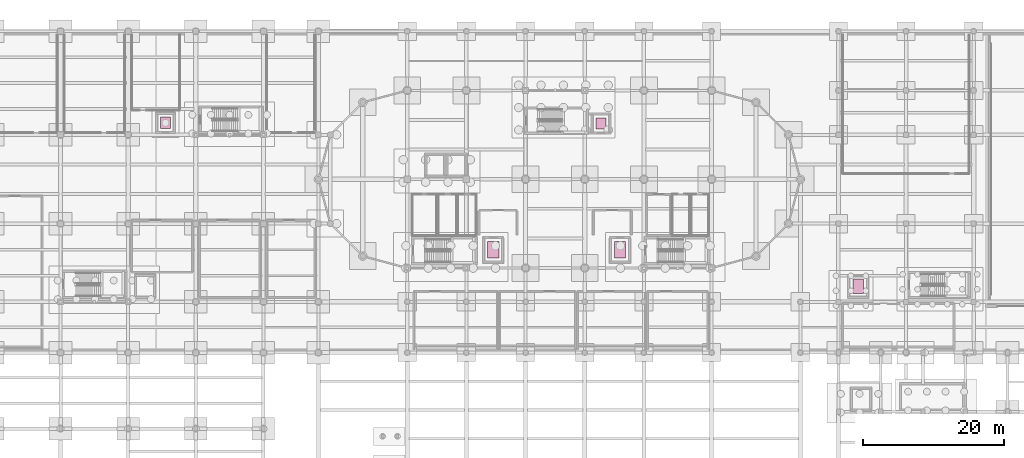
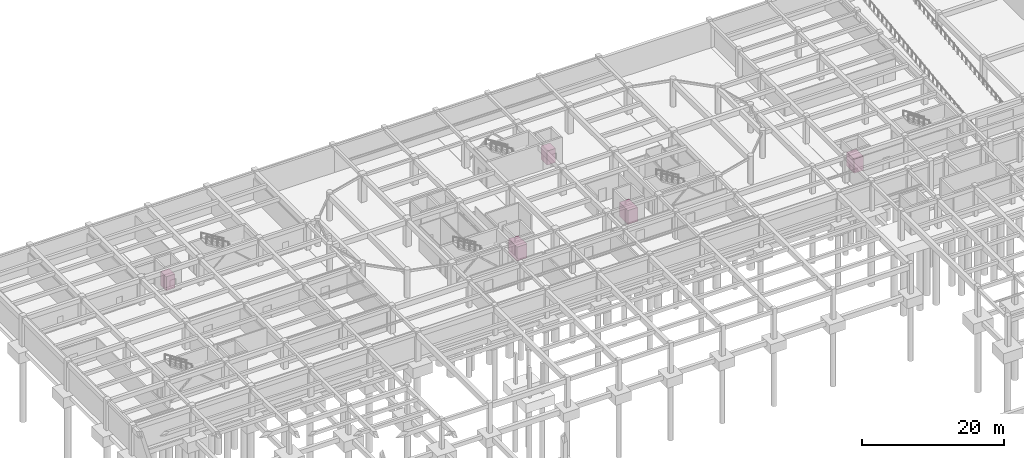
# One storey, part 37 of 37: 5 transport elements.
"""IFC4 building model written with IfcOpenShell, lengths in metres."""

from ifc_helpers import new_model, si_unit, direction, frame, origin, origin_2d, place, context, subcontext, project, spatial, rectangle, extrude, material, type_object, element, save


model = new_model("IFC4")

# Units and contexts
model_context = context("Model", 3, precision=1e-05, world=origin(), true_north=direction((0.0, 1.0)))
body_context = subcontext(model_context, "Body", "Model", "MODEL_VIEW")
ifc_project = project(units=[si_unit("LENGTHUNIT", "METRE"), si_unit("AREAUNIT", "SQUARE_METRE"), si_unit("VOLUMEUNIT", "CUBIC_METRE"), si_unit("PLANEANGLEUNIT", "RADIAN"), si_unit("MASSUNIT", "GRAM", prefix="KILO")], contexts=[model_context])

# Site, building, storey
site_placement = place(None, origin())
site = spatial("IfcSite", under=ifc_project, at=site_placement, CompositionType="ELEMENT")
building_placement = place(site_placement, origin())
building = spatial("IfcBuilding", under=site, at=building_placement, Name="Tarnavel Promenade Courthouse", CompositionType="ELEMENT")
storey_placement = place(building_placement, frame((0.0, 0.0, -4.800048828125)))
storey = spatial("IfcBuildingStorey", under=building, at=storey_placement, Name="B01", CompositionType="ELEMENT", Elevation=-4.800048828125)

# Transport elements
ifc_material = material(Name="Brushed Stainless Steel and Bronze Lift Car Assembly", Category="steel")
transport_element_type_1 = type_object("IfcTransportElementType", Name="Electric Traction Lift 1.40x1.60m 1150kg", PredefinedType="ELEVATOR", material=ifc_material)
for number, where, z_axis, x_axis, name in (
    (1, (86.300048828125, 99.699951171875, 0.0), (0.0, 0.0, 1.0), (1.0, 0.0, 0.0), "Restricted Judicial Lift 1"),
    (2, (24.5, 99.800048828125, 0.0), (0.0, 0.0, 1.0), (1.0, 0.0, 0.0), "Restricted Judicial Lift 2"),
):
    element("IfcTransportElement", number, at=place(storey_placement, frame(where, z_axis=z_axis, x_axis=x_axis)), inside=storey, type_object=transport_element_type_1, Name=name, PredefinedType="ELEVATOR", context=body_context, shape_type="SweptSolid", body=[
        extrude(rectangle(XDim=1.39990234375, YDim=1.60009765625, at=origin_2d()), origin(), (0.0, 0.0, 1.0), 2.39990234375),
    ])
transport_element_type_2 = type_object("IfcTransportElementType", Name="Electric Traction Lift 1.50x2.10m 1350kg", PredefinedType="ELEVATOR", material=ifc_material)
transport_element_placement = place(storey_placement, frame((122.800048828125, 76.60009765625, 0.0), z_axis=(0.0, 0.0, 1.0), x_axis=(1.0, 0.0, 0.0)))
element("IfcTransportElement", 3, at=transport_element_placement, inside=storey, type_object=transport_element_type_2, Name="Secure Custody Detainee Transfer Lift", PredefinedType="ELEVATOR", context=body_context, shape_type="SweptSolid", body=[
    extrude(rectangle(XDim=1.5, YDim=2.10009765625, at=origin_2d()), origin(), (0.0, 0.0, 1.0), 2.39990234375),
])
transport_element_type_3 = type_object("IfcTransportElementType", Name="Electric Traction Lift 1.60x2.40m 1600kg", PredefinedType="ELEVATOR", material=ifc_material)
for number, where, z_axis, x_axis, name in (
    (4, (71.0, 81.800048828125, 0.0), (0.0, 0.0, 1.0), (1.0, 0.0, 0.0), "Firefighting and Stretcher Lift 1"),
    (5, (89.0, 81.800048828125, 0.0), (0.0, 0.0, 1.0), (1.0, 0.0, 0.0), "Firefighting and Stretcher Lift 2"),
):
    element("IfcTransportElement", number, at=place(storey_placement, frame(where, z_axis=z_axis, x_axis=x_axis)), inside=storey, type_object=transport_element_type_3, Name=name, PredefinedType="ELEVATOR", context=body_context, shape_type="SweptSolid", body=[
        extrude(rectangle(XDim=1.60009765625, YDim=2.39990234375, at=origin_2d()), origin(), (0.0, 0.0, 1.0), 2.39990234375),
    ])

save(model, "model.ifc")
